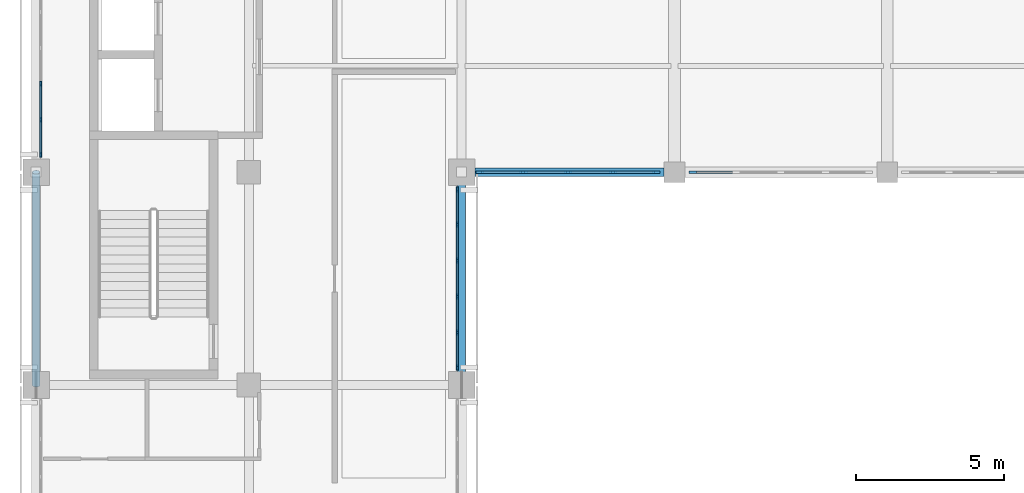
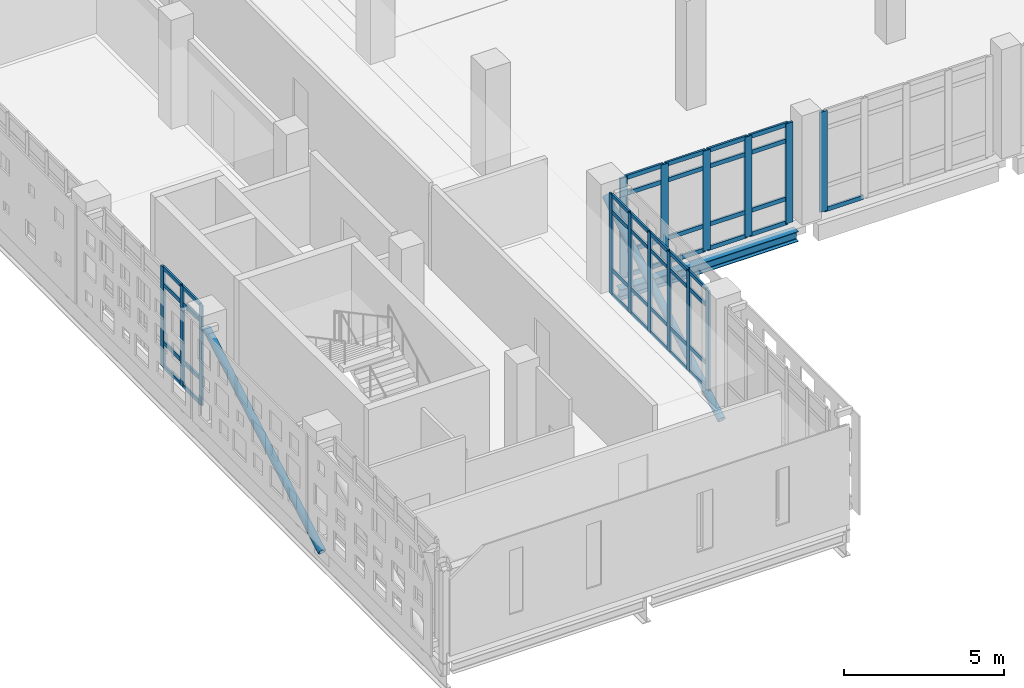
# One storey, part 10 of 62: 62 members, 1 beam, 4 elements without a shape of their own.
"""IFC4 building model written with IfcOpenShell, lengths in metres."""

import ifcopenshell
import ifcopenshell.guid

model = None  # the IFC model being written
_history = None  # IfcOwnerHistory: only IFC2X3 demands one
_inside = {}  # id of a spatial element -> (the spatial element, [elements in it])
_under = {}  # id of a project, library or spatial element -> (it, [spatial elements below it])
_declared = {}  # id of a project -> (the project, [libraries it declares])
_typed = {}  # id of a type object -> (the type object, [elements of that type])
_made_of = {}  # id of a material, layer set ... -> (it, [elements and type objects made of it])


def new_model(schema):
    """Start an empty IFC model of exactly this schema.

    Asked for "IFC4X3", IfcOpenShell would pick the latest addendum, in which some entities
    have other attributes; the version numbers below select the first issue.
    IFC2X3 requires an IfcOwnerHistory on every rooted entity: one is made here for all.
    """
    global model, _history
    if schema == "IFC4X3":
        model = ifcopenshell.file(schema_version=(4, 3, 0, 0))
    else:
        model = ifcopenshell.file(schema=schema)
    _inside.clear()
    _under.clear()
    _declared.clear()
    _typed.clear()
    _made_of.clear()
    _history = None
    if model.schema == "IFC2X3":
        org = make("IfcOrganization", Name="unknown")
        user = make(
            "IfcPersonAndOrganization",
            ThePerson=make("IfcPerson", FamilyName="unknown"),
            TheOrganization=org,
        )
        app = make(
            "IfcApplication",
            ApplicationDeveloper=org,
            Version="unknown",
            ApplicationFullName="unknown",
            ApplicationIdentifier="unknown",
        )
        _history = make(
            "IfcOwnerHistory",
            OwningUser=user,
            OwningApplication=app,
            ChangeAction="ADDED",
            CreationDate=0,
        )
    return model


def make(cls, **values):
    """One entity of the class cls with the attributes given. An attribute that is None is left unset."""
    return model.create_entity(
        cls, **{name: value for name, value in values.items() if value is not None}
    )


def rooted(cls, **values):
    """An entity with a GlobalId (a new one), such as an element, a storey or a relation."""
    return make(cls, GlobalId=ifcopenshell.guid.new(), OwnerHistory=_history, **values)


def si_unit(unit_type, name, prefix=None):
    """IfcSIUnit, for example si_unit("LENGTHUNIT", "METRE", prefix="MILLI")."""
    return make("IfcSIUnit", UnitType=unit_type, Prefix=prefix, Name=name)


def assignment(units):
    """IfcUnitAssignment: the units of a project."""
    return None if units is None else make("IfcUnitAssignment", Units=units)


def point(xyz):
    """IfcCartesianPoint."""
    return None if xyz is None else make("IfcCartesianPoint", Coordinates=xyz)


def direction(xyz):
    """IfcDirection."""
    return None if xyz is None else make("IfcDirection", DirectionRatios=xyz)


def frame(location, z_axis=None, x_axis=None):
    """IfcAxis2Placement3D, a coordinate frame: its origin and axes. An axis left out is left unset."""
    return make(
        "IfcAxis2Placement3D",
        Location=point(location),
        Axis=direction(z_axis),
        RefDirection=direction(x_axis),
    )


def frame_2d(location, x_axis=None):
    """IfcAxis2Placement2D, a coordinate frame in the plane: its origin and x axis."""
    return make(
        "IfcAxis2Placement2D", Location=point(location), RefDirection=direction(x_axis)
    )


def origin():
    """The frame at (0, 0, 0) with its axes left unset."""
    return frame((0.0, 0.0, 0.0))


def origin_2d():
    """The frame at (0, 0) in the plane with its x axis left unset."""
    return frame_2d((0.0, 0.0))


def place(relative_to, where):
    """IfcLocalPlacement: puts the frame where relative to a parent placement (None: the world)."""
    return make(
        "IfcLocalPlacement", PlacementRelTo=relative_to, RelativePlacement=where
    )


def context(
    kind, dimensions, precision=None, world=None, true_north=None, identifier=None
):
    """IfcGeometricRepresentationContext, for example the 3D "Model" context."""
    return make(
        "IfcGeometricRepresentationContext",
        ContextIdentifier=identifier,
        ContextType=kind,
        CoordinateSpaceDimension=dimensions,
        Precision=precision,
        WorldCoordinateSystem=world,
        TrueNorth=true_north,
    )


def subcontext(parent, identifier, kind, view, scale=None):
    """IfcGeometricRepresentationSubContext, for example "Body" below "Model"."""
    return make(
        "IfcGeometricRepresentationSubContext",
        ContextIdentifier=identifier,
        ContextType=kind,
        ParentContext=parent,
        TargetScale=scale,
        TargetView=view,
    )


def project(units=None, contexts=None):
    """IfcProject with its units and contexts."""
    return rooted(
        "IfcProject",
        Name="project",
        RepresentationContexts=contexts,
        UnitsInContext=assignment(units),
    )


def spatial(cls, under=None, at=None, **own):
    """A site, building, storey or space (cls), placed at a placement, below another one or the project."""
    s = rooted(cls, ObjectPlacement=at, **own)
    if under is not None:
        _under.setdefault(under.id(), (under, []))[1].append(s)
    return s


def profile(cls, at=None, kind="AREA", **sizes):
    """A parametric profile (cls). Its sizes go by their IFC names, for example OverallWidth=200.0."""
    return make(cls, ProfileType=kind, Position=at, **sizes)


def rectangle(**sizes):
    """IfcRectangleProfileDef."""
    return profile("IfcRectangleProfileDef", **sizes)


def hollow_circle(**sizes):
    """IfcCircleHollowProfileDef."""
    return profile("IfcCircleHollowProfileDef", **sizes)


def i_section(**sizes):
    """IfcIShapeProfileDef."""
    return profile("IfcIShapeProfileDef", **sizes)


def extrude(swept, where, along, depth):
    """IfcExtrudedAreaSolid: the profile swept, set in the frame where, extruded along a direction by depth."""
    return make(
        "IfcExtrudedAreaSolid",
        SweptArea=swept,
        Position=where,
        ExtrudedDirection=direction(along),
        Depth=depth,
    )


def shape(context_of_items, identifier, shape_type, items):
    """IfcShapeRepresentation: the items that make up one representation, for example the "Body"."""
    return make(
        "IfcShapeRepresentation",
        ContextOfItems=context_of_items,
        RepresentationIdentifier=identifier,
        RepresentationType=shape_type,
        Items=items,
    )


def material(Name=None, Category=None):
    """IfcMaterial."""
    return make("IfcMaterial", Name=Name, Category=Category)


def layer(
    of_material, thickness, ventilated=None, Name=None, Category=None, Priority=None
):
    """IfcMaterialLayer: one layer of a wall or slab, of a material (None: an air gap)."""
    return make(
        "IfcMaterialLayer",
        Material=of_material,
        LayerThickness=thickness,
        IsVentilated=ventilated,
        Name=Name,
        Category=Category,
        Priority=Priority,
    )


def layer_set(layers, Name=None):
    """IfcMaterialLayerSet."""
    return make("IfcMaterialLayerSet", MaterialLayers=layers, LayerSetName=Name)


def material_profile(
    of_material, cross_section, Name=None, Category=None, Priority=None
):
    """IfcMaterialProfile: a cross section and its material."""
    return make(
        "IfcMaterialProfile",
        Name=Name,
        Material=of_material,
        Profile=cross_section,
        Priority=Priority,
        Category=Category,
    )


def profile_set(profiles, Name=None, composite=None):
    """IfcMaterialProfileSet."""
    return make(
        "IfcMaterialProfileSet",
        Name=Name,
        MaterialProfiles=profiles,
        CompositeProfile=composite,
    )


def made_of(thing, what):
    """Note that an element or type object is made of a material, layer set ...; save() writes the relation."""
    if what is not None:
        _made_of.setdefault(what.id(), (what, []))[1].append(thing)
    return thing


def type_object(cls, material=None, **own):
    """A type object (cls), such as IfcWallType, which elements share."""
    return made_of(rooted(cls, **own), material)


def element(
    cls,
    number,
    at=None,
    inside=None,
    cuts=None,
    type_object=None,
    material=None,
    context=None,
    identifier="Body",
    shape_type=None,
    held_by="IfcProductDefinitionShape",
    body=None,
    shapes=None,
    **own,
):
    """One element of the class cls, such as IfcWall. Its Tag is "e" and its number.

    at: its placement. inside: the storey or other place that contains it. cuts: it is an
    opening in that element (IfcRelVoidsElement). A single representation is given by context,
    identifier, shape_type and body (its items); several are given by shapes. held_by: the class
    of the entity that holds the representations. save() writes the other relations.
    """
    e = rooted(cls, Tag="e%d" % number, ObjectPlacement=at, **own)
    if body is not None:
        shapes = [shape(context, identifier, shape_type, body)]
    if shapes is not None:
        e.Representation = make(held_by, Representations=shapes)
    if inside is not None:
        _inside.setdefault(inside.id(), (inside, []))[1].append(e)
    if cuts is not None:
        rooted(
            "IfcRelVoidsElement", RelatingBuildingElement=cuts, RelatedOpeningElement=e
        )
    if type_object is not None:
        _typed.setdefault(type_object.id(), (type_object, []))[1].append(e)
    return made_of(e, material)


def aggregate(whole, parts):
    """IfcRelAggregates: a whole, such as a stair, and the parts it consists of."""
    return rooted("IfcRelAggregates", RelatingObject=whole, RelatedObjects=parts)


def save(model, path):
    """Write the relations noted so far, then the file.

    IfcRelAggregates (storeys below a building ...), IfcRelContainedInSpatialStructure (elements
    in a storey), IfcRelDefinesByType, IfcRelAssociatesMaterial and IfcRelDeclares: one each for
    every whole, place, type object, material and project.
    """
    for whole, parts in _under.values():
        aggregate(whole, parts)
    for where, things in _inside.values():
        rooted(
            "IfcRelContainedInSpatialStructure",
            RelatedElements=things,
            RelatingStructure=where,
        )
    for kind, things in _typed.values():
        rooted("IfcRelDefinesByType", RelatedObjects=things, RelatingType=kind)
    for what, things in _made_of.values():
        rooted("IfcRelAssociatesMaterial", RelatedObjects=things, RelatingMaterial=what)
    for by, libraries in _declared.values():
        rooted("IfcRelDeclares", RelatingContext=by, RelatedDefinitions=libraries)
    model.write(path)


model = new_model("IFC4")

# Units and contexts
model_context = context("Model", 3, precision=1e-05, world=origin(), true_north=direction((0.0, 1.0)))
body_context = subcontext(model_context, "Body", "Model", "MODEL_VIEW")
ifc_project = project(units=[si_unit("LENGTHUNIT", "METRE"), si_unit("AREAUNIT", "SQUARE_METRE"), si_unit("VOLUMEUNIT", "CUBIC_METRE"), si_unit("PLANEANGLEUNIT", "RADIAN"), si_unit("MASSUNIT", "GRAM", prefix="KILO")], contexts=[model_context])

# Site, building, storey
site_placement = place(None, origin())
site = spatial("IfcSite", under=ifc_project, at=site_placement, CompositionType="ELEMENT")
building_placement = place(site_placement, origin())
building = spatial("IfcBuilding", under=site, at=building_placement, Name="Valkovuoma Quantum and Materials Research Institute", CompositionType="ELEMENT")
storey_placement = place(building_placement, frame((0.0, 0.0, 8.9599609375)))
storey = spatial("IfcBuildingStorey", under=building, at=storey_placement, Name="L02", CompositionType="ELEMENT", Elevation=8.9599609375)

# Beam
ifc_material_1 = material(Name="Steel S355J2", Category="steel")
ifc_material_profile_1 = material_profile(ifc_material_1, i_section(OverallWidth=0.300048828125, OverallDepth=0.389892578125, WebThickness=0.010986328125, FlangeThickness=0.01904296875, FilletRadius=0.027099609375, at=origin_2d()), Name="Steel S355J2")
ifc_profile_set_1 = profile_set([ifc_material_profile_1], Name="Steel S355J2")
beam_type = type_object("IfcBeamType", Name="Beam-B-HEA400", PredefinedType="SPANDREL", material=ifc_profile_set_1)
beam_placement = place(storey_placement, frame((14.85009765625, 36.0, -0.544921875), z_axis=(1.0, 0.0, 0.0), x_axis=(0.0, 1.0, 0.0)))
element("IfcBeam", 1, at=beam_placement, inside=storey, type_object=beam_type, Name="L02 beam X-1001", PredefinedType="SPANDREL", context=body_context, shape_type="SweptSolid", body=[
    extrude(i_section(OverallWidth=0.300048828125, OverallDepth=0.389892578125, WebThickness=0.010986328125, FlangeThickness=0.01904296875, FilletRadius=0.027099609375, at=origin_2d()), origin(), (0.0, 0.0, 1.0), 6.39990234375),
])

# Curtain wall, members
ifc_material_2 = material(Name="Thermally broken aluminium and triple low-E glazing", Category="aluminium")
ifc_layer_1 = layer(ifc_material_2, 0.219970703125)
ifc_layer_set_1 = layer_set([ifc_layer_1], Name="Thermally broken aluminium and triple low-E glazing")
curtain_wall_type_1 = type_object("IfcCurtainWallType", Name="CW-CW-01", PredefinedType="NOTDEFINED", material=ifc_layer_set_1)
curtain_wall_1_placement = place(storey_placement, origin())
curtain_wall_1 = element("IfcCurtainWall", 2, at=curtain_wall_1_placement, inside=storey, type_object=curtain_wall_type_1, Name="L02 curtain wall 020", PredefinedType="NOTDEFINED")
ifc_material_3 = material(Name="Anodised aluminium 6060-T66", Category="aluminium")
ifc_material_profile_2 = material_profile(ifc_material_3, rectangle(XDim=0.06494140625, YDim=0.179931640625, at=origin_2d()), Name="Anodised aluminium 6060-T66")
ifc_profile_set_2 = profile_set([ifc_material_profile_2], Name="Anodised aluminium 6060-T66")
member_type_1 = type_object("IfcMemberType", Name="CWMull-CWM-01", PredefinedType="MULLION", material=ifc_profile_set_2)
member_1_placement = place(storey_placement, frame((14.25, 29.3896484375, 0.0), z_axis=(0.0, 0.0, 1.0), x_axis=(-1.0, 0.0, 0.0)))
member_1 = element("IfcMember", 3, at=member_1_placement, type_object=member_type_1, Name="CW-01 mullion 1", PredefinedType="MULLION", context=body_context, shape_type="SweptSolid", body=[
    extrude(rectangle(XDim=0.06494140625, YDim=0.179931640625, at=origin_2d()), origin(), (0.0, 0.0, 1.0), 3.81005859375),
])
member_2_placement = place(storey_placement, frame((14.25, 30.57421875, 0.0), z_axis=(0.0, 0.0, 1.0), x_axis=(-1.0, 0.0, 0.0)))
member_2 = element("IfcMember", 4, at=member_2_placement, type_object=member_type_1, Name="CW-01 mullion 2", PredefinedType="MULLION", context=body_context, shape_type="SweptSolid", body=[
    extrude(rectangle(XDim=0.06494140625, YDim=0.179931640625, at=origin_2d()), origin(), (0.0, 0.0, 1.0), 3.81005859375),
])
member_3_placement = place(storey_placement, frame((14.25, 31.79150390625, 0.0), z_axis=(0.0, 0.0, 1.0), x_axis=(-1.0, 0.0, 0.0)))
member_3 = element("IfcMember", 5, at=member_3_placement, type_object=member_type_1, Name="CW-01 mullion 3", PredefinedType="MULLION", context=body_context, shape_type="SweptSolid", body=[
    extrude(rectangle(XDim=0.06494140625, YDim=0.179931640625, at=origin_2d()), origin(), (0.0, 0.0, 1.0), 3.81005859375),
])
member_4_placement = place(storey_placement, frame((14.25, 33.008544921875, 0.0), z_axis=(0.0, 0.0, 1.0), x_axis=(-1.0, 0.0, 0.0)))
member_4 = element("IfcMember", 6, at=member_4_placement, type_object=member_type_1, Name="CW-01 mullion 4", PredefinedType="MULLION", context=body_context, shape_type="SweptSolid", body=[
    extrude(rectangle(XDim=0.06494140625, YDim=0.179931640625, at=origin_2d()), origin(), (0.0, 0.0, 1.0), 3.81005859375),
])
member_5_placement = place(storey_placement, frame((14.25, 34.225830078125, 0.0), z_axis=(0.0, 0.0, 1.0), x_axis=(-1.0, 0.0, 0.0)))
member_5 = element("IfcMember", 7, at=member_5_placement, type_object=member_type_1, Name="CW-01 mullion 5", PredefinedType="MULLION", context=body_context, shape_type="SweptSolid", body=[
    extrude(rectangle(XDim=0.06494140625, YDim=0.179931640625, at=origin_2d()), origin(), (0.0, 0.0, 1.0), 3.81005859375),
])
member_6_placement = place(storey_placement, frame((14.25, 35.410400390625, 0.0), z_axis=(0.0, 0.0, 1.0), x_axis=(-1.0, 0.0, 0.0)))
member_6 = element("IfcMember", 8, at=member_6_placement, type_object=member_type_1, Name="CW-01 mullion 6", PredefinedType="MULLION", context=body_context, shape_type="SweptSolid", body=[
    extrude(rectangle(XDim=0.06494140625, YDim=0.179931640625, at=origin_2d()), origin(), (0.0, 0.0, 1.0), 3.81005859375),
])

curtain_wall_2_placement = place(storey_placement, origin())
curtain_wall_2 = element("IfcCurtainWall", 9, at=curtain_wall_2_placement, inside=storey, type_object=curtain_wall_type_1, Name="L02 curtain wall 021", PredefinedType="NOTDEFINED")
member_7_placement = place(storey_placement, frame((0.14990234375, 36.589599609375, 0.0), z_axis=(0.0, 0.0, 1.0), x_axis=(-1.0, 0.0, 0.0)))
member_7 = element("IfcMember", 10, at=member_7_placement, type_object=member_type_1, Name="CW-01 mullion 1", PredefinedType="MULLION", context=body_context, shape_type="SweptSolid", body=[
    extrude(rectangle(XDim=0.06494140625, YDim=0.179931640625, at=origin_2d()), origin(), (0.0, 0.0, 1.0), 3.81005859375),
])
member_8_placement = place(storey_placement, frame((0.14990234375, 37.774169921875, 0.0), z_axis=(0.0, 0.0, 1.0), x_axis=(-1.0, 0.0, 0.0)))
member_8 = element("IfcMember", 11, at=member_8_placement, type_object=member_type_1, Name="CW-01 mullion 2", PredefinedType="MULLION", context=body_context, shape_type="SweptSolid", body=[
    extrude(rectangle(XDim=0.06494140625, YDim=0.179931640625, at=origin_2d()), origin(), (0.0, 0.0, 1.0), 3.81005859375),
])
member_9_placement = place(storey_placement, frame((0.14990234375, 38.991455078125, 0.0), z_axis=(0.0, 0.0, 1.0), x_axis=(-1.0, 0.0, 0.0)))
member_9 = element("IfcMember", 12, at=member_9_placement, type_object=member_type_1, Name="CW-01 mullion 3", PredefinedType="MULLION", context=body_context, shape_type="SweptSolid", body=[
    extrude(rectangle(XDim=0.06494140625, YDim=0.179931640625, at=origin_2d()), origin(), (0.0, 0.0, 1.0), 3.81005859375),
])

ifc_material_4 = material(Name="Thermally broken aluminium and triple low-E glazing", Category="aluminium")
ifc_layer_2 = layer(ifc_material_4, 0.219970703125)
ifc_layer_set_2 = layer_set([ifc_layer_2], Name="Thermally broken aluminium and triple low-E glazing")
curtain_wall_type_2 = type_object("IfcCurtainWallType", Name="CW-CW-02", PredefinedType="NOTDEFINED", material=ifc_layer_set_2)
curtain_wall_3_placement = place(storey_placement, origin())
curtain_wall_3 = element("IfcCurtainWall", 13, at=curtain_wall_3_placement, inside=storey, type_object=curtain_wall_type_2, Name="L02 curtain wall 179", PredefinedType="NOTDEFINED")
ifc_material_5 = material(Name="Anodised aluminium 6060-T66", Category="aluminium")
ifc_material_profile_3 = material_profile(ifc_material_5, rectangle(XDim=0.080078125, YDim=0.260009765625, at=origin_2d()), Name="Anodised aluminium 6060-T66")
ifc_profile_set_3 = profile_set([ifc_material_profile_3], Name="Anodised aluminium 6060-T66")
member_type_2 = type_object("IfcMemberType", Name="CWMull-CWM-03", PredefinedType="MULLION", material=ifc_profile_set_3)
member_10_placement = place(storey_placement, frame((15.02001953125, 36.0, 0.0), z_axis=(0.0, 0.0, 1.0), x_axis=(0.0, 1.0, 0.0)))
member_10 = element("IfcMember", 14, at=member_10_placement, type_object=member_type_2, Name="CW-02 mullion 1", PredefinedType="MULLION", context=body_context, shape_type="SweptSolid", body=[
    extrude(rectangle(XDim=0.080078125, YDim=0.260009765625, at=origin_2d()), origin(), (0.0, 0.0, 1.0), 3.81005859375),
])
member_11_placement = place(storey_placement, frame((16.489990234375, 36.0, 0.0), z_axis=(0.0, 0.0, 1.0), x_axis=(0.0, 1.0, 0.0)))
member_11 = element("IfcMember", 15, at=member_11_placement, type_object=member_type_2, Name="CW-02 mullion 2", PredefinedType="MULLION", context=body_context, shape_type="SweptSolid", body=[
    extrude(rectangle(XDim=0.080078125, YDim=0.260009765625, at=origin_2d()), origin(), (0.0, 0.0, 1.0), 3.81005859375),
])
member_12_placement = place(storey_placement, frame((18.0, 36.0, 0.0), z_axis=(0.0, 0.0, 1.0), x_axis=(0.0, 1.0, 0.0)))
member_12 = element("IfcMember", 16, at=member_12_placement, type_object=member_type_2, Name="CW-02 mullion 3", PredefinedType="MULLION", context=body_context, shape_type="SweptSolid", body=[
    extrude(rectangle(XDim=0.080078125, YDim=0.260009765625, at=origin_2d()), origin(), (0.0, 0.0, 1.0), 3.81005859375),
])
member_13_placement = place(storey_placement, frame((19.510009765625, 36.0, 0.0), z_axis=(0.0, 0.0, 1.0), x_axis=(0.0, 1.0, 0.0)))
member_13 = element("IfcMember", 17, at=member_13_placement, type_object=member_type_2, Name="CW-02 mullion 4", PredefinedType="MULLION", context=body_context, shape_type="SweptSolid", body=[
    extrude(rectangle(XDim=0.080078125, YDim=0.260009765625, at=origin_2d()), origin(), (0.0, 0.0, 1.0), 3.81005859375),
])
member_14_placement = place(storey_placement, frame((20.97998046875, 36.0, 0.0), z_axis=(0.0, 0.0, 1.0), x_axis=(0.0, 1.0, 0.0)))
member_14 = element("IfcMember", 18, at=member_14_placement, type_object=member_type_2, Name="CW-02 mullion 5", PredefinedType="MULLION", context=body_context, shape_type="SweptSolid", body=[
    extrude(rectangle(XDim=0.080078125, YDim=0.260009765625, at=origin_2d()), origin(), (0.0, 0.0, 1.0), 3.81005859375),
])

# Curtain wall, member
curtain_wall_4_placement = place(storey_placement, origin())
curtain_wall_4 = element("IfcCurtainWall", 19, at=curtain_wall_4_placement, inside=storey, type_object=curtain_wall_type_2, Name="L02 curtain wall 180", PredefinedType="NOTDEFINED")
member_15_placement = place(storey_placement, frame((22.219970703125, 36.0, 0.0), z_axis=(0.0, 0.0, 1.0), x_axis=(0.0, 1.0, 0.0)))
member_15 = element("IfcMember", 20, at=member_15_placement, type_object=member_type_2, Name="CW-02 mullion 1", PredefinedType="MULLION", context=body_context, shape_type="SweptSolid", body=[
    extrude(rectangle(XDim=0.080078125, YDim=0.260009765625, at=origin_2d()), origin(), (0.0, 0.0, 1.0), 3.81005859375),
])

# Member
ifc_material_6 = material(Name="Anodised aluminium 6060-T66", Category="aluminium")
ifc_material_profile_4 = material_profile(ifc_material_6, rectangle(XDim=0.06494140625, YDim=0.139892578125, at=origin_2d()), Name="Anodised aluminium 6060-T66")
ifc_profile_set_4 = profile_set([ifc_material_profile_4], Name="Anodised aluminium 6060-T66")
member_type_3 = type_object("IfcMemberType", Name="CWTran-CWT-01", PredefinedType="USERDEFINED", material=ifc_profile_set_4)
member_16_placement = place(storey_placement, frame((14.25, 29.422119140625, 0.032470703125), z_axis=(0.0, 1.0, 0.0), x_axis=(-1.0, 0.0, 0.0)))
member_16 = element("IfcMember", 21, at=member_16_placement, type_object=member_type_3, Name="CW-01 transom 1.1", ObjectType="TRANSOM", PredefinedType="USERDEFINED", context=body_context, shape_type="SweptSolid", body=[
    extrude(rectangle(XDim=0.06494140625, YDim=0.139892578125, at=origin_2d()), origin(), (0.0, 0.0, 1.0), 1.11962890625),
])

member_17_placement = place(storey_placement, frame((14.25, 29.422119140625, 0.949951171875), z_axis=(0.0, 1.0, 0.0), x_axis=(-1.0, 0.0, 0.0)))
member_17 = element("IfcMember", 22, at=member_17_placement, type_object=member_type_3, Name="CW-01 transom 1.2", ObjectType="TRANSOM", PredefinedType="USERDEFINED", context=body_context, shape_type="SweptSolid", body=[
    extrude(rectangle(XDim=0.06494140625, YDim=0.139892578125, at=origin_2d()), origin(), (0.0, 0.0, 1.0), 1.11962890625),
])

member_18_placement = place(storey_placement, frame((14.25, 29.422119140625, 3.16015625), z_axis=(0.0, 1.0, 0.0), x_axis=(-1.0, 0.0, 0.0)))
member_18 = element("IfcMember", 23, at=member_18_placement, type_object=member_type_3, Name="CW-01 transom 1.3", ObjectType="TRANSOM", PredefinedType="USERDEFINED", context=body_context, shape_type="SweptSolid", body=[
    extrude(rectangle(XDim=0.06494140625, YDim=0.139892578125, at=origin_2d()), origin(), (0.0, 0.0, 1.0), 1.11962890625),
])

member_19_placement = place(storey_placement, frame((14.25, 29.422119140625, 3.777587890625), z_axis=(0.0, 1.0, 0.0), x_axis=(-1.0, 0.0, 0.0)))
member_19 = element("IfcMember", 24, at=member_19_placement, type_object=member_type_3, Name="CW-01 transom 1.4", ObjectType="TRANSOM", PredefinedType="USERDEFINED", context=body_context, shape_type="SweptSolid", body=[
    extrude(rectangle(XDim=0.06494140625, YDim=0.139892578125, at=origin_2d()), origin(), (0.0, 0.0, 1.0), 1.11962890625),
])

member_20_placement = place(storey_placement, frame((14.25, 30.606689453125, 0.032470703125), z_axis=(0.0, 1.0, 0.0), x_axis=(-1.0, 0.0, 0.0)))
member_20 = element("IfcMember", 25, at=member_20_placement, type_object=member_type_3, Name="CW-01 transom 2.1", ObjectType="TRANSOM", PredefinedType="USERDEFINED", context=body_context, shape_type="SweptSolid", body=[
    extrude(rectangle(XDim=0.06494140625, YDim=0.139892578125, at=origin_2d()), origin(), (0.0, 0.0, 1.0), 1.15234375),
])

member_21_placement = place(storey_placement, frame((14.25, 30.606689453125, 0.949951171875), z_axis=(0.0, 1.0, 0.0), x_axis=(-1.0, 0.0, 0.0)))
member_21 = element("IfcMember", 26, at=member_21_placement, type_object=member_type_3, Name="CW-01 transom 2.2", ObjectType="TRANSOM", PredefinedType="USERDEFINED", context=body_context, shape_type="SweptSolid", body=[
    extrude(rectangle(XDim=0.06494140625, YDim=0.139892578125, at=origin_2d()), origin(), (0.0, 0.0, 1.0), 1.15234375),
])

member_22_placement = place(storey_placement, frame((14.25, 30.606689453125, 3.16015625), z_axis=(0.0, 1.0, 0.0), x_axis=(-1.0, 0.0, 0.0)))
member_22 = element("IfcMember", 27, at=member_22_placement, type_object=member_type_3, Name="CW-01 transom 2.3", ObjectType="TRANSOM", PredefinedType="USERDEFINED", context=body_context, shape_type="SweptSolid", body=[
    extrude(rectangle(XDim=0.06494140625, YDim=0.139892578125, at=origin_2d()), origin(), (0.0, 0.0, 1.0), 1.15234375),
])

member_23_placement = place(storey_placement, frame((14.25, 30.606689453125, 3.777587890625), z_axis=(0.0, 1.0, 0.0), x_axis=(-1.0, 0.0, 0.0)))
member_23 = element("IfcMember", 28, at=member_23_placement, type_object=member_type_3, Name="CW-01 transom 2.4", ObjectType="TRANSOM", PredefinedType="USERDEFINED", context=body_context, shape_type="SweptSolid", body=[
    extrude(rectangle(XDim=0.06494140625, YDim=0.139892578125, at=origin_2d()), origin(), (0.0, 0.0, 1.0), 1.15234375),
])

member_24_placement = place(storey_placement, frame((14.25, 31.823974609375, 0.032470703125), z_axis=(0.0, 1.0, 0.0), x_axis=(-1.0, 0.0, 0.0)))
member_24 = element("IfcMember", 29, at=member_24_placement, type_object=member_type_3, Name="CW-01 transom 3.1", ObjectType="TRANSOM", PredefinedType="USERDEFINED", context=body_context, shape_type="SweptSolid", body=[
    extrude(rectangle(XDim=0.06494140625, YDim=0.139892578125, at=origin_2d()), origin(), (0.0, 0.0, 1.0), 1.152099609375),
])

member_25_placement = place(storey_placement, frame((14.25, 31.823974609375, 0.949951171875), z_axis=(0.0, 1.0, 0.0), x_axis=(-1.0, 0.0, 0.0)))
member_25 = element("IfcMember", 30, at=member_25_placement, type_object=member_type_3, Name="CW-01 transom 3.2", ObjectType="TRANSOM", PredefinedType="USERDEFINED", context=body_context, shape_type="SweptSolid", body=[
    extrude(rectangle(XDim=0.06494140625, YDim=0.139892578125, at=origin_2d()), origin(), (0.0, 0.0, 1.0), 1.152099609375),
])

member_26_placement = place(storey_placement, frame((14.25, 31.823974609375, 3.16015625), z_axis=(0.0, 1.0, 0.0), x_axis=(-1.0, 0.0, 0.0)))
member_26 = element("IfcMember", 31, at=member_26_placement, type_object=member_type_3, Name="CW-01 transom 3.3", ObjectType="TRANSOM", PredefinedType="USERDEFINED", context=body_context, shape_type="SweptSolid", body=[
    extrude(rectangle(XDim=0.06494140625, YDim=0.139892578125, at=origin_2d()), origin(), (0.0, 0.0, 1.0), 1.152099609375),
])

member_27_placement = place(storey_placement, frame((14.25, 31.823974609375, 3.777587890625), z_axis=(0.0, 1.0, 0.0), x_axis=(-1.0, 0.0, 0.0)))
member_27 = element("IfcMember", 32, at=member_27_placement, type_object=member_type_3, Name="CW-01 transom 3.4", ObjectType="TRANSOM", PredefinedType="USERDEFINED", context=body_context, shape_type="SweptSolid", body=[
    extrude(rectangle(XDim=0.06494140625, YDim=0.139892578125, at=origin_2d()), origin(), (0.0, 0.0, 1.0), 1.152099609375),
])

member_28_placement = place(storey_placement, frame((14.25, 33.041015625, 0.032470703125), z_axis=(0.0, 1.0, 0.0), x_axis=(-1.0, 0.0, 0.0)))
member_28 = element("IfcMember", 33, at=member_28_placement, type_object=member_type_3, Name="CW-01 transom 4.1", ObjectType="TRANSOM", PredefinedType="USERDEFINED", context=body_context, shape_type="SweptSolid", body=[
    extrude(rectangle(XDim=0.06494140625, YDim=0.139892578125, at=origin_2d()), origin(), (0.0, 0.0, 1.0), 1.15234375),
])

member_29_placement = place(storey_placement, frame((14.25, 33.041015625, 0.949951171875), z_axis=(0.0, 1.0, 0.0), x_axis=(-1.0, 0.0, 0.0)))
member_29 = element("IfcMember", 34, at=member_29_placement, type_object=member_type_3, Name="CW-01 transom 4.2", ObjectType="TRANSOM", PredefinedType="USERDEFINED", context=body_context, shape_type="SweptSolid", body=[
    extrude(rectangle(XDim=0.06494140625, YDim=0.139892578125, at=origin_2d()), origin(), (0.0, 0.0, 1.0), 1.15234375),
])

member_30_placement = place(storey_placement, frame((14.25, 33.041015625, 3.16015625), z_axis=(0.0, 1.0, 0.0), x_axis=(-1.0, 0.0, 0.0)))
member_30 = element("IfcMember", 35, at=member_30_placement, type_object=member_type_3, Name="CW-01 transom 4.3", ObjectType="TRANSOM", PredefinedType="USERDEFINED", context=body_context, shape_type="SweptSolid", body=[
    extrude(rectangle(XDim=0.06494140625, YDim=0.139892578125, at=origin_2d()), origin(), (0.0, 0.0, 1.0), 1.15234375),
])

member_31_placement = place(storey_placement, frame((14.25, 33.041015625, 3.777587890625), z_axis=(0.0, 1.0, 0.0), x_axis=(-1.0, 0.0, 0.0)))
member_31 = element("IfcMember", 36, at=member_31_placement, type_object=member_type_3, Name="CW-01 transom 4.4", ObjectType="TRANSOM", PredefinedType="USERDEFINED", context=body_context, shape_type="SweptSolid", body=[
    extrude(rectangle(XDim=0.06494140625, YDim=0.139892578125, at=origin_2d()), origin(), (0.0, 0.0, 1.0), 1.15234375),
])

member_32_placement = place(storey_placement, frame((14.25, 34.25830078125, 0.032470703125), z_axis=(0.0, 1.0, 0.0), x_axis=(-1.0, 0.0, 0.0)))
member_32 = element("IfcMember", 37, at=member_32_placement, type_object=member_type_3, Name="CW-01 transom 5.1", ObjectType="TRANSOM", PredefinedType="USERDEFINED", context=body_context, shape_type="SweptSolid", body=[
    extrude(rectangle(XDim=0.06494140625, YDim=0.139892578125, at=origin_2d()), origin(), (0.0, 0.0, 1.0), 1.11962890625),
])

member_33_placement = place(storey_placement, frame((14.25, 34.25830078125, 0.949951171875), z_axis=(0.0, 1.0, 0.0), x_axis=(-1.0, 0.0, 0.0)))
member_33 = element("IfcMember", 38, at=member_33_placement, type_object=member_type_3, Name="CW-01 transom 5.2", ObjectType="TRANSOM", PredefinedType="USERDEFINED", context=body_context, shape_type="SweptSolid", body=[
    extrude(rectangle(XDim=0.06494140625, YDim=0.139892578125, at=origin_2d()), origin(), (0.0, 0.0, 1.0), 1.11962890625),
])

member_34_placement = place(storey_placement, frame((14.25, 34.25830078125, 3.16015625), z_axis=(0.0, 1.0, 0.0), x_axis=(-1.0, 0.0, 0.0)))
member_34 = element("IfcMember", 39, at=member_34_placement, type_object=member_type_3, Name="CW-01 transom 5.3", ObjectType="TRANSOM", PredefinedType="USERDEFINED", context=body_context, shape_type="SweptSolid", body=[
    extrude(rectangle(XDim=0.06494140625, YDim=0.139892578125, at=origin_2d()), origin(), (0.0, 0.0, 1.0), 1.11962890625),
])

member_35_placement = place(storey_placement, frame((14.25, 34.25830078125, 3.777587890625), z_axis=(0.0, 1.0, 0.0), x_axis=(-1.0, 0.0, 0.0)))
member_35 = element("IfcMember", 40, at=member_35_placement, type_object=member_type_3, Name="CW-01 transom 5.4", ObjectType="TRANSOM", PredefinedType="USERDEFINED", context=body_context, shape_type="SweptSolid", body=[
    extrude(rectangle(XDim=0.06494140625, YDim=0.139892578125, at=origin_2d()), origin(), (0.0, 0.0, 1.0), 1.11962890625),
])

aggregate(curtain_wall_1, [member_1, member_2, member_3, member_4, member_5, member_6, member_16, member_17, member_18, member_19, member_20, member_21, member_22, member_23, member_24, member_25, member_26, member_27, member_28, member_29, member_30, member_31, member_32, member_33, member_34, member_35])

member_36_placement = place(storey_placement, frame((0.14990234375, 36.6220703125, 0.032470703125), z_axis=(0.0, 1.0, 0.0), x_axis=(-1.0, 0.0, 0.0)))
member_36 = element("IfcMember", 41, at=member_36_placement, type_object=member_type_3, Name="CW-01 transom 1.1", ObjectType="TRANSOM", PredefinedType="USERDEFINED", context=body_context, shape_type="SweptSolid", body=[
    extrude(rectangle(XDim=0.06494140625, YDim=0.139892578125, at=origin_2d()), origin(), (0.0, 0.0, 1.0), 1.11962890625),
])

member_37_placement = place(storey_placement, frame((0.14990234375, 36.6220703125, 0.949951171875), z_axis=(0.0, 1.0, 0.0), x_axis=(-1.0, 0.0, 0.0)))
member_37 = element("IfcMember", 42, at=member_37_placement, type_object=member_type_3, Name="CW-01 transom 1.2", ObjectType="TRANSOM", PredefinedType="USERDEFINED", context=body_context, shape_type="SweptSolid", body=[
    extrude(rectangle(XDim=0.06494140625, YDim=0.139892578125, at=origin_2d()), origin(), (0.0, 0.0, 1.0), 1.11962890625),
])

member_38_placement = place(storey_placement, frame((0.14990234375, 36.6220703125, 3.16015625), z_axis=(0.0, 1.0, 0.0), x_axis=(-1.0, 0.0, 0.0)))
member_38 = element("IfcMember", 43, at=member_38_placement, type_object=member_type_3, Name="CW-01 transom 1.3", ObjectType="TRANSOM", PredefinedType="USERDEFINED", context=body_context, shape_type="SweptSolid", body=[
    extrude(rectangle(XDim=0.06494140625, YDim=0.139892578125, at=origin_2d()), origin(), (0.0, 0.0, 1.0), 1.11962890625),
])

member_39_placement = place(storey_placement, frame((0.14990234375, 36.6220703125, 3.777587890625), z_axis=(0.0, 1.0, 0.0), x_axis=(-1.0, 0.0, 0.0)))
member_39 = element("IfcMember", 44, at=member_39_placement, type_object=member_type_3, Name="CW-01 transom 1.4", ObjectType="TRANSOM", PredefinedType="USERDEFINED", context=body_context, shape_type="SweptSolid", body=[
    extrude(rectangle(XDim=0.06494140625, YDim=0.139892578125, at=origin_2d()), origin(), (0.0, 0.0, 1.0), 1.11962890625),
])

member_40_placement = place(storey_placement, frame((0.14990234375, 37.806640625, 0.032470703125), z_axis=(0.0, 1.0, 0.0), x_axis=(-1.0, 0.0, 0.0)))
member_40 = element("IfcMember", 45, at=member_40_placement, type_object=member_type_3, Name="CW-01 transom 2.1", ObjectType="TRANSOM", PredefinedType="USERDEFINED", context=body_context, shape_type="SweptSolid", body=[
    extrude(rectangle(XDim=0.06494140625, YDim=0.139892578125, at=origin_2d()), origin(), (0.0, 0.0, 1.0), 1.15234375),
])

member_41_placement = place(storey_placement, frame((0.14990234375, 37.806640625, 0.949951171875), z_axis=(0.0, 1.0, 0.0), x_axis=(-1.0, 0.0, 0.0)))
member_41 = element("IfcMember", 46, at=member_41_placement, type_object=member_type_3, Name="CW-01 transom 2.2", ObjectType="TRANSOM", PredefinedType="USERDEFINED", context=body_context, shape_type="SweptSolid", body=[
    extrude(rectangle(XDim=0.06494140625, YDim=0.139892578125, at=origin_2d()), origin(), (0.0, 0.0, 1.0), 1.15234375),
])

member_42_placement = place(storey_placement, frame((0.14990234375, 37.806640625, 3.16015625), z_axis=(0.0, 1.0, 0.0), x_axis=(-1.0, 0.0, 0.0)))
member_42 = element("IfcMember", 47, at=member_42_placement, type_object=member_type_3, Name="CW-01 transom 2.3", ObjectType="TRANSOM", PredefinedType="USERDEFINED", context=body_context, shape_type="SweptSolid", body=[
    extrude(rectangle(XDim=0.06494140625, YDim=0.139892578125, at=origin_2d()), origin(), (0.0, 0.0, 1.0), 1.15234375),
])

member_43_placement = place(storey_placement, frame((0.14990234375, 37.806640625, 3.777587890625), z_axis=(0.0, 1.0, 0.0), x_axis=(-1.0, 0.0, 0.0)))
member_43 = element("IfcMember", 48, at=member_43_placement, type_object=member_type_3, Name="CW-01 transom 2.4", ObjectType="TRANSOM", PredefinedType="USERDEFINED", context=body_context, shape_type="SweptSolid", body=[
    extrude(rectangle(XDim=0.06494140625, YDim=0.139892578125, at=origin_2d()), origin(), (0.0, 0.0, 1.0), 1.15234375),
])

aggregate(curtain_wall_2, [member_7, member_8, member_9, member_36, member_37, member_38, member_39, member_40, member_41, member_42, member_43])

ifc_material_7 = material(Name="Anodised aluminium 6060-T66", Category="aluminium")
ifc_material_profile_5 = material_profile(ifc_material_7, rectangle(XDim=0.074951171875, YDim=0.159912109375, at=origin_2d()), Name="Anodised aluminium 6060-T66")
ifc_profile_set_5 = profile_set([ifc_material_profile_5], Name="Anodised aluminium 6060-T66")
member_type_4 = type_object("IfcMemberType", Name="CWTran-CWT-02", PredefinedType="USERDEFINED", material=ifc_profile_set_5)
member_44_placement = place(storey_placement, frame((15.06005859375, 36.0, 0.03759765625), z_axis=(1.0, 0.0, 0.0), x_axis=(0.0, 1.0, 0.0)))
member_44 = element("IfcMember", 49, at=member_44_placement, type_object=member_type_4, Name="CW-02 transom 1.1", ObjectType="TRANSOM", PredefinedType="USERDEFINED", context=body_context, shape_type="SweptSolid", body=[
    extrude(rectangle(XDim=0.074951171875, YDim=0.159912109375, at=origin_2d()), origin(), (0.0, 0.0, 1.0), 1.389892578125),
])

member_45_placement = place(storey_placement, frame((15.06005859375, 36.0, 0.949951171875), z_axis=(1.0, 0.0, 0.0), x_axis=(0.0, 1.0, 0.0)))
member_45 = element("IfcMember", 50, at=member_45_placement, type_object=member_type_4, Name="CW-02 transom 1.2", ObjectType="TRANSOM", PredefinedType="USERDEFINED", context=body_context, shape_type="SweptSolid", body=[
    extrude(rectangle(XDim=0.074951171875, YDim=0.159912109375, at=origin_2d()), origin(), (0.0, 0.0, 1.0), 1.389892578125),
])

member_46_placement = place(storey_placement, frame((15.06005859375, 36.0, 3.16015625), z_axis=(1.0, 0.0, 0.0), x_axis=(0.0, 1.0, 0.0)))
member_46 = element("IfcMember", 51, at=member_46_placement, type_object=member_type_4, Name="CW-02 transom 1.3", ObjectType="TRANSOM", PredefinedType="USERDEFINED", context=body_context, shape_type="SweptSolid", body=[
    extrude(rectangle(XDim=0.074951171875, YDim=0.159912109375, at=origin_2d()), origin(), (0.0, 0.0, 1.0), 1.389892578125),
])

member_47_placement = place(storey_placement, frame((15.06005859375, 36.0, 3.7724609375), z_axis=(1.0, 0.0, 0.0), x_axis=(0.0, 1.0, 0.0)))
member_47 = element("IfcMember", 52, at=member_47_placement, type_object=member_type_4, Name="CW-02 transom 1.4", ObjectType="TRANSOM", PredefinedType="USERDEFINED", context=body_context, shape_type="SweptSolid", body=[
    extrude(rectangle(XDim=0.074951171875, YDim=0.159912109375, at=origin_2d()), origin(), (0.0, 0.0, 1.0), 1.389892578125),
])

member_48_placement = place(storey_placement, frame((16.530029296875, 36.0, 0.03759765625), z_axis=(1.0, 0.0, 0.0), x_axis=(0.0, 1.0, 0.0)))
member_48 = element("IfcMember", 53, at=member_48_placement, type_object=member_type_4, Name="CW-02 transom 2.1", ObjectType="TRANSOM", PredefinedType="USERDEFINED", context=body_context, shape_type="SweptSolid", body=[
    extrude(rectangle(XDim=0.074951171875, YDim=0.159912109375, at=origin_2d()), origin(), (0.0, 0.0, 1.0), 1.429931640625),
])

member_49_placement = place(storey_placement, frame((16.530029296875, 36.0, 0.949951171875), z_axis=(1.0, 0.0, 0.0), x_axis=(0.0, 1.0, 0.0)))
member_49 = element("IfcMember", 54, at=member_49_placement, type_object=member_type_4, Name="CW-02 transom 2.2", ObjectType="TRANSOM", PredefinedType="USERDEFINED", context=body_context, shape_type="SweptSolid", body=[
    extrude(rectangle(XDim=0.074951171875, YDim=0.159912109375, at=origin_2d()), origin(), (0.0, 0.0, 1.0), 1.429931640625),
])

member_50_placement = place(storey_placement, frame((16.530029296875, 36.0, 3.16015625), z_axis=(1.0, 0.0, 0.0), x_axis=(0.0, 1.0, 0.0)))
member_50 = element("IfcMember", 55, at=member_50_placement, type_object=member_type_4, Name="CW-02 transom 2.3", ObjectType="TRANSOM", PredefinedType="USERDEFINED", context=body_context, shape_type="SweptSolid", body=[
    extrude(rectangle(XDim=0.074951171875, YDim=0.159912109375, at=origin_2d()), origin(), (0.0, 0.0, 1.0), 1.429931640625),
])

member_51_placement = place(storey_placement, frame((16.530029296875, 36.0, 3.7724609375), z_axis=(1.0, 0.0, 0.0), x_axis=(0.0, 1.0, 0.0)))
member_51 = element("IfcMember", 56, at=member_51_placement, type_object=member_type_4, Name="CW-02 transom 2.4", ObjectType="TRANSOM", PredefinedType="USERDEFINED", context=body_context, shape_type="SweptSolid", body=[
    extrude(rectangle(XDim=0.074951171875, YDim=0.159912109375, at=origin_2d()), origin(), (0.0, 0.0, 1.0), 1.429931640625),
])

member_52_placement = place(storey_placement, frame((18.0400390625, 36.0, 0.03759765625), z_axis=(1.0, 0.0, 0.0), x_axis=(0.0, 1.0, 0.0)))
member_52 = element("IfcMember", 57, at=member_52_placement, type_object=member_type_4, Name="CW-02 transom 3.1", ObjectType="TRANSOM", PredefinedType="USERDEFINED", context=body_context, shape_type="SweptSolid", body=[
    extrude(rectangle(XDim=0.074951171875, YDim=0.159912109375, at=origin_2d()), origin(), (0.0, 0.0, 1.0), 1.429931640625),
])

member_53_placement = place(storey_placement, frame((18.0400390625, 36.0, 0.949951171875), z_axis=(1.0, 0.0, 0.0), x_axis=(0.0, 1.0, 0.0)))
member_53 = element("IfcMember", 58, at=member_53_placement, type_object=member_type_4, Name="CW-02 transom 3.2", ObjectType="TRANSOM", PredefinedType="USERDEFINED", context=body_context, shape_type="SweptSolid", body=[
    extrude(rectangle(XDim=0.074951171875, YDim=0.159912109375, at=origin_2d()), origin(), (0.0, 0.0, 1.0), 1.429931640625),
])

member_54_placement = place(storey_placement, frame((18.0400390625, 36.0, 3.16015625), z_axis=(1.0, 0.0, 0.0), x_axis=(0.0, 1.0, 0.0)))
member_54 = element("IfcMember", 59, at=member_54_placement, type_object=member_type_4, Name="CW-02 transom 3.3", ObjectType="TRANSOM", PredefinedType="USERDEFINED", context=body_context, shape_type="SweptSolid", body=[
    extrude(rectangle(XDim=0.074951171875, YDim=0.159912109375, at=origin_2d()), origin(), (0.0, 0.0, 1.0), 1.429931640625),
])

member_55_placement = place(storey_placement, frame((18.0400390625, 36.0, 3.7724609375), z_axis=(1.0, 0.0, 0.0), x_axis=(0.0, 1.0, 0.0)))
member_55 = element("IfcMember", 60, at=member_55_placement, type_object=member_type_4, Name="CW-02 transom 3.4", ObjectType="TRANSOM", PredefinedType="USERDEFINED", context=body_context, shape_type="SweptSolid", body=[
    extrude(rectangle(XDim=0.074951171875, YDim=0.159912109375, at=origin_2d()), origin(), (0.0, 0.0, 1.0), 1.429931640625),
])

member_56_placement = place(storey_placement, frame((19.550048828125, 36.0, 0.03759765625), z_axis=(1.0, 0.0, 0.0), x_axis=(0.0, 1.0, 0.0)))
member_56 = element("IfcMember", 61, at=member_56_placement, type_object=member_type_4, Name="CW-02 transom 4.1", ObjectType="TRANSOM", PredefinedType="USERDEFINED", context=body_context, shape_type="SweptSolid", body=[
    extrude(rectangle(XDim=0.074951171875, YDim=0.159912109375, at=origin_2d()), origin(), (0.0, 0.0, 1.0), 1.389892578125),
])

member_57_placement = place(storey_placement, frame((19.550048828125, 36.0, 0.949951171875), z_axis=(1.0, 0.0, 0.0), x_axis=(0.0, 1.0, 0.0)))
member_57 = element("IfcMember", 62, at=member_57_placement, type_object=member_type_4, Name="CW-02 transom 4.2", ObjectType="TRANSOM", PredefinedType="USERDEFINED", context=body_context, shape_type="SweptSolid", body=[
    extrude(rectangle(XDim=0.074951171875, YDim=0.159912109375, at=origin_2d()), origin(), (0.0, 0.0, 1.0), 1.389892578125),
])

member_58_placement = place(storey_placement, frame((19.550048828125, 36.0, 3.16015625), z_axis=(1.0, 0.0, 0.0), x_axis=(0.0, 1.0, 0.0)))
member_58 = element("IfcMember", 63, at=member_58_placement, type_object=member_type_4, Name="CW-02 transom 4.3", ObjectType="TRANSOM", PredefinedType="USERDEFINED", context=body_context, shape_type="SweptSolid", body=[
    extrude(rectangle(XDim=0.074951171875, YDim=0.159912109375, at=origin_2d()), origin(), (0.0, 0.0, 1.0), 1.389892578125),
])

member_59_placement = place(storey_placement, frame((19.550048828125, 36.0, 3.7724609375), z_axis=(1.0, 0.0, 0.0), x_axis=(0.0, 1.0, 0.0)))
member_59 = element("IfcMember", 64, at=member_59_placement, type_object=member_type_4, Name="CW-02 transom 4.4", ObjectType="TRANSOM", PredefinedType="USERDEFINED", context=body_context, shape_type="SweptSolid", body=[
    extrude(rectangle(XDim=0.074951171875, YDim=0.159912109375, at=origin_2d()), origin(), (0.0, 0.0, 1.0), 1.389892578125),
])

aggregate(curtain_wall_3, [member_10, member_11, member_12, member_13, member_14, member_44, member_45, member_46, member_47, member_48, member_49, member_50, member_51, member_52, member_53, member_54, member_55, member_56, member_57, member_58, member_59])

member_60_placement = place(storey_placement, frame((22.260009765625, 36.0, 0.03759765625), z_axis=(1.0, 0.0, 0.0), x_axis=(0.0, 1.0, 0.0)))
member_60 = element("IfcMember", 65, at=member_60_placement, type_object=member_type_4, Name="CW-02 transom 1.1", ObjectType="TRANSOM", PredefinedType="USERDEFINED", context=body_context, shape_type="SweptSolid", body=[
    extrude(rectangle(XDim=0.074951171875, YDim=0.159912109375, at=origin_2d()), origin(), (0.0, 0.0, 1.0), 1.389892578125),
])

aggregate(curtain_wall_4, [member_15, member_60])

# Members
ifc_material_8 = material(Name="Steel S355J2H", Category="steel")
ifc_material_profile_6 = material_profile(ifc_material_8, hollow_circle(Radius=0.136474609375, WallThickness=0.012451171875, at=origin_2d()), Name="Steel S355J2H")
ifc_profile_set_6 = profile_set([ifc_material_profile_6], Name="Steel S355J2H")
member_type_5 = type_object("IfcMemberType", Name="Mem-M-BRC273", PredefinedType="BRACE", material=ifc_profile_set_6)
for number, where, z_axis, x_axis, name in (
    (66, (0.0, 28.800048828125, -0.849853515625), (0.0, 0.865868182106, 0.500272217114), (-1.0, 0.0, 0.0), "L02 cantilever back-span brace 0"),
    (67, (14.39990234375, 28.800048828125, -0.849853515625), (0.0, 0.865868182106, 0.500272217114), (-1.0, 0.0, 0.0), "L02 cantilever back-span brace 1"),
):
    element("IfcMember", number, at=place(storey_placement, frame(where, z_axis=z_axis, x_axis=x_axis)), inside=storey, type_object=member_type_5, Name=name, PredefinedType="BRACE", context=body_context, shape_type="SweptSolid", body=[
        extrude(hollow_circle(Radius=0.136474609375, WallThickness=0.012451171875, at=origin_2d()), origin(), (0.0, 0.0, 1.0), 8.315185546875),
    ])

save(model, "model.ifc")
